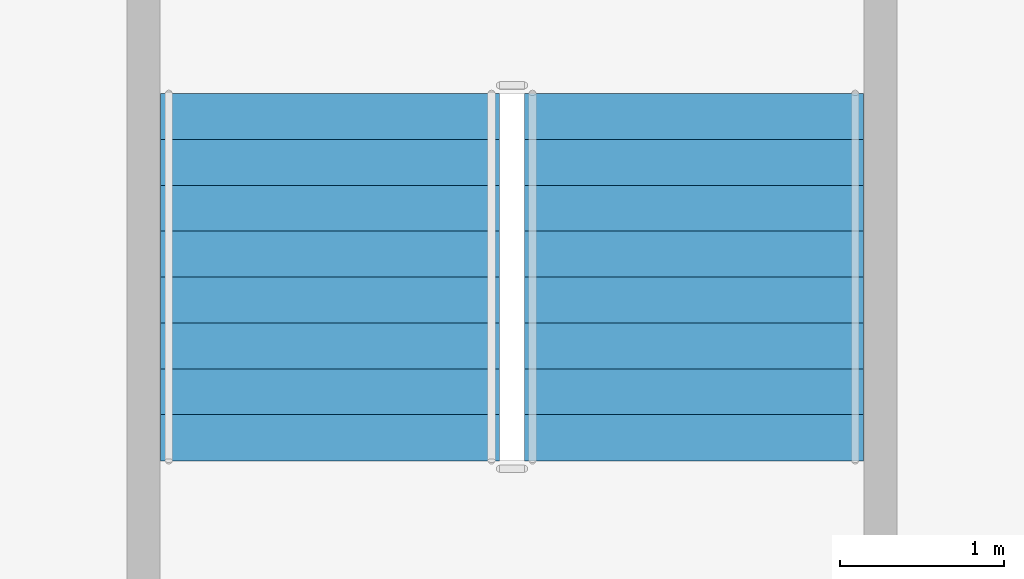
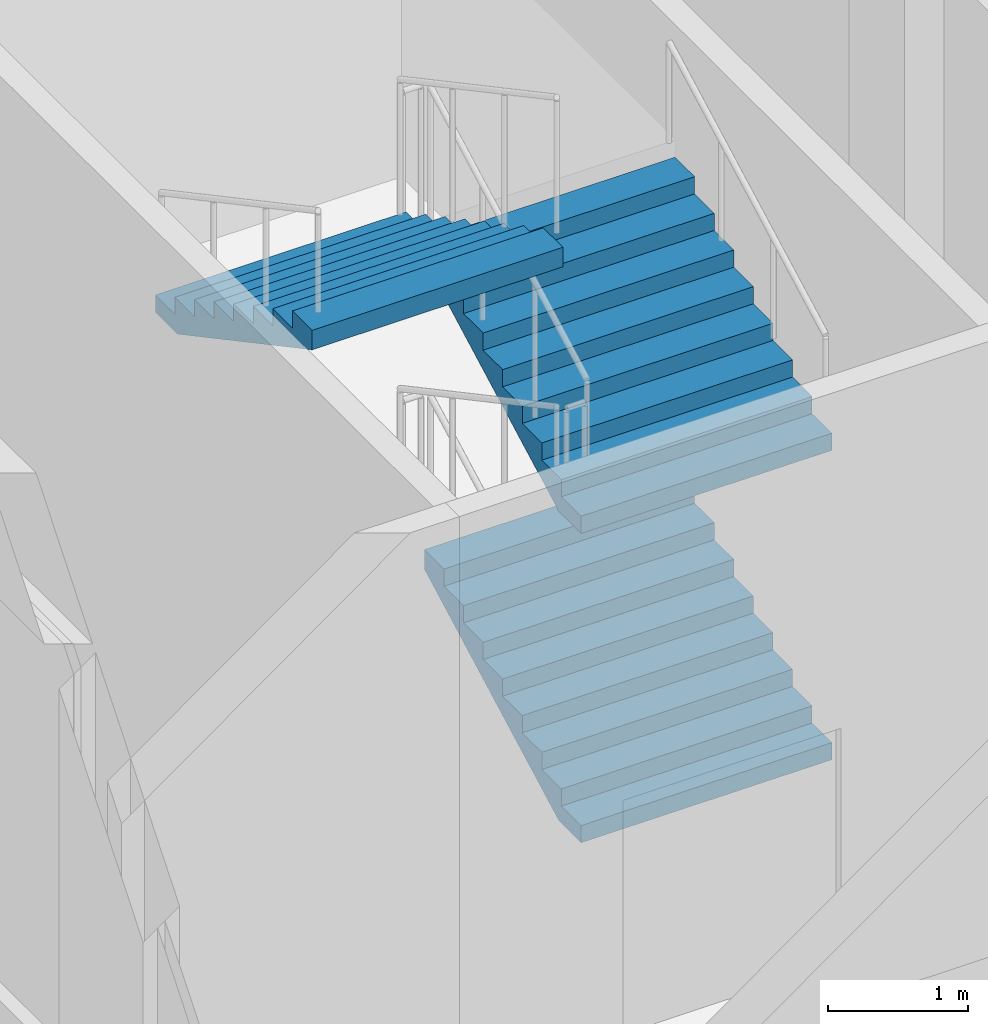
# One storey, part 16 of 27: 3 stair flights, 1 element without a shape of its own.
"""IFC4 building model written with IfcOpenShell, lengths in metres."""

from ifc_helpers import new_model, si_unit, direction, frame, origin, place, context, subcontext, project, spatial, polygons, material, type_object, element, aggregate, save


model = new_model("IFC4")

# Units and contexts
model_context = context("Model", 3, precision=1e-05, world=origin(), true_north=direction((0.0, 1.0)))
body_context = subcontext(model_context, "Body", "Model", "MODEL_VIEW")
ifc_project = project(units=[si_unit("LENGTHUNIT", "METRE"), si_unit("AREAUNIT", "SQUARE_METRE"), si_unit("VOLUMEUNIT", "CUBIC_METRE"), si_unit("PLANEANGLEUNIT", "RADIAN"), si_unit("MASSUNIT", "GRAM", prefix="KILO")], contexts=[model_context])

# Site, building, storey
site_placement = place(None, origin())
site = spatial("IfcSite", under=ifc_project, at=site_placement, CompositionType="ELEMENT")
building_placement = place(site_placement, origin())
building = spatial("IfcBuilding", under=site, at=building_placement, Name="Caravel Reach Hotel and Residences", CompositionType="ELEMENT")
storey_placement = place(building_placement, frame((0.0, 0.0, 6.60009765625)))
storey = spatial("IfcBuildingStorey", under=building, at=storey_placement, Name="L01", CompositionType="ELEMENT", Elevation=6.60009765625)

# Stair, stair flights
ifc_material_1 = material(Name="Concrete C40", Category="concrete")
stair_type = type_object("IfcStairType", Name="Core stair", PredefinedType="HALF_TURN_STAIR", material=ifc_material_1)
stair_placement = place(storey_placement, origin())
stair = element("IfcStair", 1, at=stair_placement, inside=storey, type_object=stair_type, Name="L01 Exit stair P5", PredefinedType="HALF_TURN_STAIR")
ifc_material_2 = material(Name="Concrete C40", Category="concrete")
stair_flight_type = type_object("IfcStairFlightType", Name="Core stair flight", PredefinedType="STRAIGHT", material=ifc_material_2)
stair_flight_1_placement = place(storey_placement, frame((1.360107421875, 42.68994140625, 0.0), z_axis=(0.0, 0.0, 1.0), x_axis=(0.0, 1.0, 0.0)))
stair_flight_1 = element("IfcStairFlight", 2, at=stair_flight_1_placement, type_object=stair_flight_type, Name="ST-P5 flight 1", NumberOfRisers=9, NumberOfTreads=8, PredefinedType="STRAIGHT", RiserHeight=0.15, TreadLength=0.28, context=body_context, shape_type="Tessellation", body=[
    polygons([(0.3174408016601864, 1.0350341796875, 0.0), (0.3174408016601864, 0.6900227864583333, 0.0), (0.3174408016601864, 0.34501139322916663, 0.0), (0.3174408016601864, 0.0, 0.0), (0.3174408016601864, -0.34501139322916674, 0.0), (0.3174408016601864, -0.6900227864583333, 0.0), (0.3174408016601864, -1.0350341796875, 0.0), (2.241, 1.0350341796875, 1.029942427682043), (2.241, 0.6900227864583333, 1.029942427682043), (2.241, 0.34501139322916663, 1.029942427682043), (2.241, 0.0, 1.029942427682043), (2.241, -0.34501139322916674, 1.029942427682043), (2.241, -0.6900227864583333, 1.029942427682043), (2.241, -1.0350341796875, 1.029942427682043), (2.241, 1.0350341796875, 1.2), (2.241, 0.6900227864583333, 1.2), (2.241, 0.34501139322916663, 1.2), (2.241, 0.0, 1.2), (2.241, -0.34501139322916674, 1.2), (2.241, -0.6900227864583333, 1.2), (2.241, -1.0350341796875, 1.2), (1.9600000000000002, 1.0350341796875, 1.2), (1.9600000000000002, 0.6900227864583333, 1.2), (1.9600000000000002, 0.34501139322916663, 1.2), (1.9600000000000002, 0.0, 1.2), (1.9600000000000002, -0.34501139322916674, 1.2), (1.9600000000000002, -0.6900227864583333, 1.2), (1.9600000000000002, -1.0350341796875, 1.2), (1.9600000000000002, 1.0350341796875, 1.05), (1.9600000000000002, 0.6900227864583333, 1.05), (1.9600000000000002, 0.34501139322916663, 1.05), (1.9600000000000002, 0.0, 1.05), (1.9600000000000002, -0.34501139322916674, 1.05), (1.9600000000000002, -0.6900227864583333, 1.05), (1.9600000000000002, -1.0350341796875, 1.05), (1.6800000000000002, 1.0350341796875, 1.05), (1.6800000000000002, 0.6900227864583333, 1.05), (1.6800000000000002, 0.34501139322916663, 1.05), (1.6800000000000002, 0.0, 1.05), (1.6800000000000002, -0.34501139322916674, 1.05), (1.6800000000000002, -0.6900227864583333, 1.05), (1.6800000000000002, -1.0350341796875, 1.05), (1.6800000000000002, 1.0350341796875, 0.8999999999999999), (1.6800000000000002, 0.6900227864583333, 0.8999999999999999), (1.6800000000000002, 0.34501139322916663, 0.8999999999999999), (1.6800000000000002, 0.0, 0.8999999999999999), (1.6800000000000002, -0.34501139322916674, 0.8999999999999999), (1.6800000000000002, -0.6900227864583333, 0.8999999999999999), (1.6800000000000002, -1.0350341796875, 0.8999999999999999), (1.4000000000000001, 1.0350341796875, 0.8999999999999999), (1.4000000000000001, 0.6900227864583333, 0.8999999999999999), (1.4000000000000001, 0.34501139322916663, 0.8999999999999999), (1.4000000000000001, 0.0, 0.8999999999999999), (1.4000000000000001, -0.34501139322916674, 0.8999999999999999), (1.4000000000000001, -0.6900227864583333, 0.8999999999999999), (1.4000000000000001, -1.0350341796875, 0.8999999999999999), (1.4000000000000001, 1.0350341796875, 0.75), (1.4000000000000001, 0.6900227864583333, 0.75), (1.4000000000000001, 0.34501139322916663, 0.75), (1.4000000000000001, 0.0, 0.75), (1.4000000000000001, -0.34501139322916674, 0.75), (1.4000000000000001, -0.6900227864583333, 0.75), (1.4000000000000001, -1.0350341796875, 0.75), (1.12, 1.0350341796875, 0.75), (1.12, 0.6900227864583333, 0.75), (1.12, 0.34501139322916663, 0.75), (1.12, 0.0, 0.75), (1.12, -0.34501139322916674, 0.75), (1.12, -0.6900227864583333, 0.75), (1.12, -1.0350341796875, 0.75), (1.12, 1.0350341796875, 0.6), (1.12, 0.6900227864583333, 0.6), (1.12, 0.34501139322916663, 0.6), (1.12, 0.0, 0.6), (1.12, -0.34501139322916674, 0.6), (1.12, -0.6900227864583333, 0.6), (1.12, -1.0350341796875, 0.6), (0.8400000000000001, 1.0350341796875, 0.6), (0.8400000000000001, 0.6900227864583333, 0.6), (0.8400000000000001, 0.34501139322916663, 0.6), (0.8400000000000001, 0.0, 0.6), (0.8400000000000001, -0.34501139322916674, 0.6), (0.8400000000000001, -0.6900227864583333, 0.6), (0.8400000000000001, -1.0350341796875, 0.6), (0.8400000000000001, 1.0350341796875, 0.44999999999999996), (0.8400000000000001, 0.6900227864583333, 0.44999999999999996), (0.8400000000000001, 0.34501139322916663, 0.44999999999999996), (0.8400000000000001, 0.0, 0.44999999999999996), (0.8400000000000001, -0.34501139322916674, 0.44999999999999996), (0.8400000000000001, -0.6900227864583333, 0.44999999999999996), (0.8400000000000001, -1.0350341796875, 0.44999999999999996), (0.56, 1.0350341796875, 0.44999999999999996), (0.56, 0.6900227864583333, 0.44999999999999996), (0.56, 0.34501139322916663, 0.44999999999999996), (0.56, 0.0, 0.44999999999999996), (0.56, -0.34501139322916674, 0.44999999999999996), (0.56, -0.6900227864583333, 0.44999999999999996), (0.56, -1.0350341796875, 0.44999999999999996), (0.56, 1.0350341796875, 0.3), (0.56, 0.6900227864583333, 0.3), (0.56, 0.34501139322916663, 0.3), (0.56, 0.0, 0.3), (0.56, -0.34501139322916674, 0.3), (0.56, -0.6900227864583333, 0.3), (0.56, -1.0350341796875, 0.3), (0.28, 1.0350341796875, 0.3), (0.28, 0.6900227864583333, 0.3), (0.28, 0.34501139322916663, 0.3), (0.28, 0.0, 0.3), (0.28, -0.34501139322916674, 0.3), (0.28, -0.6900227864583333, 0.3), (0.28, -1.0350341796875, 0.3), (0.28, 1.0350341796875, 0.15), (0.28, 0.6900227864583333, 0.15), (0.28, 0.34501139322916663, 0.15), (0.28, 0.0, 0.15), (0.28, -0.34501139322916674, 0.15), (0.28, -0.6900227864583333, 0.15), (0.28, -1.0350341796875, 0.15), (-0.001, 1.0350341796875, 0.15), (-0.001, 0.6900227864583333, 0.15), (-0.001, 0.34501139322916663, 0.15), (-0.001, 0.0, 0.15), (-0.001, -0.34501139322916674, 0.15), (-0.001, -0.6900227864583333, 0.15), (-0.001, -1.0350341796875, 0.15), (-0.001, 1.0350341796875, 0.0), (-0.001, 0.6900227864583333, 0.0), (-0.001, 0.34501139322916663, 0.0), (-0.001, 0.0, 0.0), (-0.001, -0.34501139322916674, 0.0), (-0.001, -0.6900227864583333, 0.0), (-0.001, -1.0350341796875, 0.0)], [[[127, 120, 113, 106, 99, 92, 85, 78, 71, 64, 57, 50, 43, 36, 29, 22, 15, 8, 1]], [[7, 14, 21, 28, 35, 42, 49, 56, 63, 70, 77, 84, 91, 98, 105, 112, 119, 126, 133]], [[1, 8, 9, 2]], [[2, 9, 10, 3]], [[3, 10, 11, 4]], [[4, 11, 12, 5]], [[5, 12, 13, 6]], [[6, 13, 14, 7]], [[8, 15, 16, 9]], [[9, 16, 17, 10]], [[10, 17, 18, 11]], [[11, 18, 19, 12]], [[12, 19, 20, 13]], [[13, 20, 21, 14]], [[15, 22, 23, 16]], [[16, 23, 24, 17]], [[17, 24, 25, 18]], [[18, 25, 26, 19]], [[19, 26, 27, 20]], [[20, 27, 28, 21]], [[22, 29, 30, 23]], [[23, 30, 31, 24]], [[24, 31, 32, 25]], [[25, 32, 33, 26]], [[26, 33, 34, 27]], [[27, 34, 35, 28]], [[29, 36, 37, 30]], [[30, 37, 38, 31]], [[31, 38, 39, 32]], [[32, 39, 40, 33]], [[33, 40, 41, 34]], [[34, 41, 42, 35]], [[36, 43, 44, 37]], [[37, 44, 45, 38]], [[38, 45, 46, 39]], [[39, 46, 47, 40]], [[40, 47, 48, 41]], [[41, 48, 49, 42]], [[43, 50, 51, 44]], [[44, 51, 52, 45]], [[45, 52, 53, 46]], [[46, 53, 54, 47]], [[47, 54, 55, 48]], [[48, 55, 56, 49]], [[50, 57, 58, 51]], [[51, 58, 59, 52]], [[52, 59, 60, 53]], [[53, 60, 61, 54]], [[54, 61, 62, 55]], [[55, 62, 63, 56]], [[57, 64, 65, 58]], [[58, 65, 66, 59]], [[59, 66, 67, 60]], [[60, 67, 68, 61]], [[61, 68, 69, 62]], [[62, 69, 70, 63]], [[64, 71, 72, 65]], [[65, 72, 73, 66]], [[66, 73, 74, 67]], [[67, 74, 75, 68]], [[68, 75, 76, 69]], [[69, 76, 77, 70]], [[71, 78, 79, 72]], [[72, 79, 80, 73]], [[73, 80, 81, 74]], [[74, 81, 82, 75]], [[75, 82, 83, 76]], [[76, 83, 84, 77]], [[78, 85, 86, 79]], [[79, 86, 87, 80]], [[80, 87, 88, 81]], [[81, 88, 89, 82]], [[82, 89, 90, 83]], [[83, 90, 91, 84]], [[85, 92, 93, 86]], [[86, 93, 94, 87]], [[87, 94, 95, 88]], [[88, 95, 96, 89]], [[89, 96, 97, 90]], [[90, 97, 98, 91]], [[92, 99, 100, 93]], [[93, 100, 101, 94]], [[94, 101, 102, 95]], [[95, 102, 103, 96]], [[96, 103, 104, 97]], [[97, 104, 105, 98]], [[99, 106, 107, 100]], [[100, 107, 108, 101]], [[101, 108, 109, 102]], [[102, 109, 110, 103]], [[103, 110, 111, 104]], [[104, 111, 112, 105]], [[106, 113, 114, 107]], [[107, 114, 115, 108]], [[108, 115, 116, 109]], [[109, 116, 117, 110]], [[110, 117, 118, 111]], [[111, 118, 119, 112]], [[113, 120, 121, 114]], [[114, 121, 122, 115]], [[115, 122, 123, 116]], [[116, 123, 124, 117]], [[117, 124, 125, 118]], [[118, 125, 126, 119]], [[120, 127, 128, 121]], [[121, 128, 129, 122]], [[122, 129, 130, 123]], [[123, 130, 131, 124]], [[124, 131, 132, 125]], [[125, 132, 133, 126]], [[127, 1, 2, 128]], [[128, 2, 3, 129]], [[129, 3, 4, 130]], [[130, 4, 5, 131]], [[131, 5, 6, 132]], [[132, 6, 7, 133]]], closed=True),
])
stair_flight_2_placement = place(storey_placement, frame((1.360107421875, 42.68994140625, 2.699951171875), z_axis=(0.0, 0.0, 1.0), x_axis=(0.0, 1.0, 0.0)))
stair_flight_2 = element("IfcStairFlight", 3, at=stair_flight_2_placement, type_object=stair_flight_type, Name="ST-P5 flight 3", NumberOfRisers=9, NumberOfTreads=8, PredefinedType="STRAIGHT", RiserHeight=0.15, TreadLength=0.28, context=body_context, shape_type="Tessellation", body=[
    polygons([(0.3174408016601864, 1.0350341796875, 0.0), (0.3174408016601864, 0.6900227864583333, 0.0), (0.3174408016601864, 0.34501139322916663, 0.0), (0.3174408016601864, 0.0, 0.0), (0.3174408016601864, -0.34501139322916674, 0.0), (0.3174408016601864, -0.6900227864583333, 0.0), (0.3174408016601864, -1.0350341796875, 0.0), (2.241, 1.0350341796875, 1.029942427682043), (2.241, 0.6900227864583333, 1.029942427682043), (2.241, 0.34501139322916663, 1.029942427682043), (2.241, 0.0, 1.029942427682043), (2.241, -0.34501139322916674, 1.029942427682043), (2.241, -0.6900227864583333, 1.029942427682043), (2.241, -1.0350341796875, 1.029942427682043), (2.241, 1.0350341796875, 1.2), (2.241, 0.6900227864583333, 1.2), (2.241, 0.34501139322916663, 1.2), (2.241, 0.0, 1.2), (2.241, -0.34501139322916674, 1.2), (2.241, -0.6900227864583333, 1.2), (2.241, -1.0350341796875, 1.2), (1.9600000000000002, 1.0350341796875, 1.2), (1.9600000000000002, 0.6900227864583333, 1.2), (1.9600000000000002, 0.34501139322916663, 1.2), (1.9600000000000002, 0.0, 1.2), (1.9600000000000002, -0.34501139322916674, 1.2), (1.9600000000000002, -0.6900227864583333, 1.2), (1.9600000000000002, -1.0350341796875, 1.2), (1.9600000000000002, 1.0350341796875, 1.05), (1.9600000000000002, 0.6900227864583333, 1.05), (1.9600000000000002, 0.34501139322916663, 1.05), (1.9600000000000002, 0.0, 1.05), (1.9600000000000002, -0.34501139322916674, 1.05), (1.9600000000000002, -0.6900227864583333, 1.05), (1.9600000000000002, -1.0350341796875, 1.05), (1.6800000000000002, 1.0350341796875, 1.05), (1.6800000000000002, 0.6900227864583333, 1.05), (1.6800000000000002, 0.34501139322916663, 1.05), (1.6800000000000002, 0.0, 1.05), (1.6800000000000002, -0.34501139322916674, 1.05), (1.6800000000000002, -0.6900227864583333, 1.05), (1.6800000000000002, -1.0350341796875, 1.05), (1.6800000000000002, 1.0350341796875, 0.8999999999999999), (1.6800000000000002, 0.6900227864583333, 0.8999999999999999), (1.6800000000000002, 0.34501139322916663, 0.8999999999999999), (1.6800000000000002, 0.0, 0.8999999999999999), (1.6800000000000002, -0.34501139322916674, 0.8999999999999999), (1.6800000000000002, -0.6900227864583333, 0.8999999999999999), (1.6800000000000002, -1.0350341796875, 0.8999999999999999), (1.4000000000000001, 1.0350341796875, 0.8999999999999999), (1.4000000000000001, 0.6900227864583333, 0.8999999999999999), (1.4000000000000001, 0.34501139322916663, 0.8999999999999999), (1.4000000000000001, 0.0, 0.8999999999999999), (1.4000000000000001, -0.34501139322916674, 0.8999999999999999), (1.4000000000000001, -0.6900227864583333, 0.8999999999999999), (1.4000000000000001, -1.0350341796875, 0.8999999999999999), (1.4000000000000001, 1.0350341796875, 0.75), (1.4000000000000001, 0.6900227864583333, 0.75), (1.4000000000000001, 0.34501139322916663, 0.75), (1.4000000000000001, 0.0, 0.75), (1.4000000000000001, -0.34501139322916674, 0.75), (1.4000000000000001, -0.6900227864583333, 0.75), (1.4000000000000001, -1.0350341796875, 0.75), (1.12, 1.0350341796875, 0.75), (1.12, 0.6900227864583333, 0.75), (1.12, 0.34501139322916663, 0.75), (1.12, 0.0, 0.75), (1.12, -0.34501139322916674, 0.75), (1.12, -0.6900227864583333, 0.75), (1.12, -1.0350341796875, 0.75), (1.12, 1.0350341796875, 0.6), (1.12, 0.6900227864583333, 0.6), (1.12, 0.34501139322916663, 0.6), (1.12, 0.0, 0.6), (1.12, -0.34501139322916674, 0.6), (1.12, -0.6900227864583333, 0.6), (1.12, -1.0350341796875, 0.6), (0.8400000000000001, 1.0350341796875, 0.6), (0.8400000000000001, 0.6900227864583333, 0.6), (0.8400000000000001, 0.34501139322916663, 0.6), (0.8400000000000001, 0.0, 0.6), (0.8400000000000001, -0.34501139322916674, 0.6), (0.8400000000000001, -0.6900227864583333, 0.6), (0.8400000000000001, -1.0350341796875, 0.6), (0.8400000000000001, 1.0350341796875, 0.44999999999999996), (0.8400000000000001, 0.6900227864583333, 0.44999999999999996), (0.8400000000000001, 0.34501139322916663, 0.44999999999999996), (0.8400000000000001, 0.0, 0.44999999999999996), (0.8400000000000001, -0.34501139322916674, 0.44999999999999996), (0.8400000000000001, -0.6900227864583333, 0.44999999999999996), (0.8400000000000001, -1.0350341796875, 0.44999999999999996), (0.56, 1.0350341796875, 0.44999999999999996), (0.56, 0.6900227864583333, 0.44999999999999996), (0.56, 0.34501139322916663, 0.44999999999999996), (0.56, 0.0, 0.44999999999999996), (0.56, -0.34501139322916674, 0.44999999999999996), (0.56, -0.6900227864583333, 0.44999999999999996), (0.56, -1.0350341796875, 0.44999999999999996), (0.56, 1.0350341796875, 0.3), (0.56, 0.6900227864583333, 0.3), (0.56, 0.34501139322916663, 0.3), (0.56, 0.0, 0.3), (0.56, -0.34501139322916674, 0.3), (0.56, -0.6900227864583333, 0.3), (0.56, -1.0350341796875, 0.3), (0.28, 1.0350341796875, 0.3), (0.28, 0.6900227864583333, 0.3), (0.28, 0.34501139322916663, 0.3), (0.28, 0.0, 0.3), (0.28, -0.34501139322916674, 0.3), (0.28, -0.6900227864583333, 0.3), (0.28, -1.0350341796875, 0.3), (0.28, 1.0350341796875, 0.15), (0.28, 0.6900227864583333, 0.15), (0.28, 0.34501139322916663, 0.15), (0.28, 0.0, 0.15), (0.28, -0.34501139322916674, 0.15), (0.28, -0.6900227864583333, 0.15), (0.28, -1.0350341796875, 0.15), (-0.001, 1.0350341796875, 0.15), (-0.001, 0.6900227864583333, 0.15), (-0.001, 0.34501139322916663, 0.15), (-0.001, 0.0, 0.15), (-0.001, -0.34501139322916674, 0.15), (-0.001, -0.6900227864583333, 0.15), (-0.001, -1.0350341796875, 0.15), (-0.001, 1.0350341796875, 0.0), (-0.001, 0.6900227864583333, 0.0), (-0.001, 0.34501139322916663, 0.0), (-0.001, 0.0, 0.0), (-0.001, -0.34501139322916674, 0.0), (-0.001, -0.6900227864583333, 0.0), (-0.001, -1.0350341796875, 0.0)], [[[127, 120, 113, 106, 99, 92, 85, 78, 71, 64, 57, 50, 43, 36, 29, 22, 15, 8, 1]], [[7, 14, 21, 28, 35, 42, 49, 56, 63, 70, 77, 84, 91, 98, 105, 112, 119, 126, 133]], [[1, 8, 9, 2]], [[2, 9, 10, 3]], [[3, 10, 11, 4]], [[4, 11, 12, 5]], [[5, 12, 13, 6]], [[6, 13, 14, 7]], [[8, 15, 16, 9]], [[9, 16, 17, 10]], [[10, 17, 18, 11]], [[11, 18, 19, 12]], [[12, 19, 20, 13]], [[13, 20, 21, 14]], [[15, 22, 23, 16]], [[16, 23, 24, 17]], [[17, 24, 25, 18]], [[18, 25, 26, 19]], [[19, 26, 27, 20]], [[20, 27, 28, 21]], [[22, 29, 30, 23]], [[23, 30, 31, 24]], [[24, 31, 32, 25]], [[25, 32, 33, 26]], [[26, 33, 34, 27]], [[27, 34, 35, 28]], [[29, 36, 37, 30]], [[30, 37, 38, 31]], [[31, 38, 39, 32]], [[32, 39, 40, 33]], [[33, 40, 41, 34]], [[34, 41, 42, 35]], [[36, 43, 44, 37]], [[37, 44, 45, 38]], [[38, 45, 46, 39]], [[39, 46, 47, 40]], [[40, 47, 48, 41]], [[41, 48, 49, 42]], [[43, 50, 51, 44]], [[44, 51, 52, 45]], [[45, 52, 53, 46]], [[46, 53, 54, 47]], [[47, 54, 55, 48]], [[48, 55, 56, 49]], [[50, 57, 58, 51]], [[51, 58, 59, 52]], [[52, 59, 60, 53]], [[53, 60, 61, 54]], [[54, 61, 62, 55]], [[55, 62, 63, 56]], [[57, 64, 65, 58]], [[58, 65, 66, 59]], [[59, 66, 67, 60]], [[60, 67, 68, 61]], [[61, 68, 69, 62]], [[62, 69, 70, 63]], [[64, 71, 72, 65]], [[65, 72, 73, 66]], [[66, 73, 74, 67]], [[67, 74, 75, 68]], [[68, 75, 76, 69]], [[69, 76, 77, 70]], [[71, 78, 79, 72]], [[72, 79, 80, 73]], [[73, 80, 81, 74]], [[74, 81, 82, 75]], [[75, 82, 83, 76]], [[76, 83, 84, 77]], [[78, 85, 86, 79]], [[79, 86, 87, 80]], [[80, 87, 88, 81]], [[81, 88, 89, 82]], [[82, 89, 90, 83]], [[83, 90, 91, 84]], [[85, 92, 93, 86]], [[86, 93, 94, 87]], [[87, 94, 95, 88]], [[88, 95, 96, 89]], [[89, 96, 97, 90]], [[90, 97, 98, 91]], [[92, 99, 100, 93]], [[93, 100, 101, 94]], [[94, 101, 102, 95]], [[95, 102, 103, 96]], [[96, 103, 104, 97]], [[97, 104, 105, 98]], [[99, 106, 107, 100]], [[100, 107, 108, 101]], [[101, 108, 109, 102]], [[102, 109, 110, 103]], [[103, 110, 111, 104]], [[104, 111, 112, 105]], [[106, 113, 114, 107]], [[107, 114, 115, 108]], [[108, 115, 116, 109]], [[109, 116, 117, 110]], [[110, 117, 118, 111]], [[111, 118, 119, 112]], [[113, 120, 121, 114]], [[114, 121, 122, 115]], [[115, 122, 123, 116]], [[116, 123, 124, 117]], [[117, 124, 125, 118]], [[118, 125, 126, 119]], [[120, 127, 128, 121]], [[121, 128, 129, 122]], [[122, 129, 130, 123]], [[123, 130, 131, 124]], [[124, 131, 132, 125]], [[125, 132, 133, 126]], [[127, 1, 2, 128]], [[128, 2, 3, 129]], [[129, 3, 4, 130]], [[130, 4, 5, 131]], [[131, 5, 6, 132]], [[132, 6, 7, 133]]], closed=True),
])
stair_flight_3_placement = place(storey_placement, frame((-0.860107421875, 44.929931640625, 4.0498046875), z_axis=(0.0, 0.0, 1.0), x_axis=(0.0, -1.0, 0.0)))
stair_flight_3 = element("IfcStairFlight", 4, at=stair_flight_3_placement, type_object=stair_flight_type, Name="ST-P5 flight 4", NumberOfRisers=9, NumberOfTreads=8, PredefinedType="STRAIGHT", RiserHeight=0.15, TreadLength=0.28, context=body_context, shape_type="Tessellation", body=[
    polygons([(0.3174408016601864, 1.0350341796875, 0.0), (0.3174408016601864, 0.6900227864583333, 0.0), (0.3174408016601864, 0.34501139322916663, 0.0), (0.3174408016601864, 0.0, 0.0), (0.3174408016601864, -0.34501139322916674, 0.0), (0.3174408016601864, -0.6900227864583333, 0.0), (0.3174408016601864, -1.0350341796875, 0.0), (2.241, 1.0350341796875, 1.029942427682043), (2.241, 0.6900227864583333, 1.029942427682043), (2.241, 0.34501139322916663, 1.029942427682043), (2.241, 0.0, 1.029942427682043), (2.241, -0.34501139322916674, 1.029942427682043), (2.241, -0.6900227864583333, 1.029942427682043), (2.241, -1.0350341796875, 1.029942427682043), (2.241, 1.0350341796875, 1.2), (2.241, 0.6900227864583333, 1.2), (2.241, 0.34501139322916663, 1.2), (2.241, 0.0, 1.2), (2.241, -0.34501139322916674, 1.2), (2.241, -0.6900227864583333, 1.2), (2.241, -1.0350341796875, 1.2), (1.9600000000000002, 1.0350341796875, 1.2), (1.9600000000000002, 0.6900227864583333, 1.2), (1.9600000000000002, 0.34501139322916663, 1.2), (1.9600000000000002, 0.0, 1.2), (1.9600000000000002, -0.34501139322916674, 1.2), (1.9600000000000002, -0.6900227864583333, 1.2), (1.9600000000000002, -1.0350341796875, 1.2), (1.9600000000000002, 1.0350341796875, 1.05), (1.9600000000000002, 0.6900227864583333, 1.05), (1.9600000000000002, 0.34501139322916663, 1.05), (1.9600000000000002, 0.0, 1.05), (1.9600000000000002, -0.34501139322916674, 1.05), (1.9600000000000002, -0.6900227864583333, 1.05), (1.9600000000000002, -1.0350341796875, 1.05), (1.6800000000000002, 1.0350341796875, 1.05), (1.6800000000000002, 0.6900227864583333, 1.05), (1.6800000000000002, 0.34501139322916663, 1.05), (1.6800000000000002, 0.0, 1.05), (1.6800000000000002, -0.34501139322916674, 1.05), (1.6800000000000002, -0.6900227864583333, 1.05), (1.6800000000000002, -1.0350341796875, 1.05), (1.6800000000000002, 1.0350341796875, 0.8999999999999999), (1.6800000000000002, 0.6900227864583333, 0.8999999999999999), (1.6800000000000002, 0.34501139322916663, 0.8999999999999999), (1.6800000000000002, 0.0, 0.8999999999999999), (1.6800000000000002, -0.34501139322916674, 0.8999999999999999), (1.6800000000000002, -0.6900227864583333, 0.8999999999999999), (1.6800000000000002, -1.0350341796875, 0.8999999999999999), (1.4000000000000001, 1.0350341796875, 0.8999999999999999), (1.4000000000000001, 0.6900227864583333, 0.8999999999999999), (1.4000000000000001, 0.34501139322916663, 0.8999999999999999), (1.4000000000000001, 0.0, 0.8999999999999999), (1.4000000000000001, -0.34501139322916674, 0.8999999999999999), (1.4000000000000001, -0.6900227864583333, 0.8999999999999999), (1.4000000000000001, -1.0350341796875, 0.8999999999999999), (1.4000000000000001, 1.0350341796875, 0.75), (1.4000000000000001, 0.6900227864583333, 0.75), (1.4000000000000001, 0.34501139322916663, 0.75), (1.4000000000000001, 0.0, 0.75), (1.4000000000000001, -0.34501139322916674, 0.75), (1.4000000000000001, -0.6900227864583333, 0.75), (1.4000000000000001, -1.0350341796875, 0.75), (1.12, 1.0350341796875, 0.75), (1.12, 0.6900227864583333, 0.75), (1.12, 0.34501139322916663, 0.75), (1.12, 0.0, 0.75), (1.12, -0.34501139322916674, 0.75), (1.12, -0.6900227864583333, 0.75), (1.12, -1.0350341796875, 0.75), (1.12, 1.0350341796875, 0.6), (1.12, 0.6900227864583333, 0.6), (1.12, 0.34501139322916663, 0.6), (1.12, 0.0, 0.6), (1.12, -0.34501139322916674, 0.6), (1.12, -0.6900227864583333, 0.6), (1.12, -1.0350341796875, 0.6), (0.8400000000000001, 1.0350341796875, 0.6), (0.8400000000000001, 0.6900227864583333, 0.6), (0.8400000000000001, 0.34501139322916663, 0.6), (0.8400000000000001, 0.0, 0.6), (0.8400000000000001, -0.34501139322916674, 0.6), (0.8400000000000001, -0.6900227864583333, 0.6), (0.8400000000000001, -1.0350341796875, 0.6), (0.8400000000000001, 1.0350341796875, 0.44999999999999996), (0.8400000000000001, 0.6900227864583333, 0.44999999999999996), (0.8400000000000001, 0.34501139322916663, 0.44999999999999996), (0.8400000000000001, 0.0, 0.44999999999999996), (0.8400000000000001, -0.34501139322916674, 0.44999999999999996), (0.8400000000000001, -0.6900227864583333, 0.44999999999999996), (0.8400000000000001, -1.0350341796875, 0.44999999999999996), (0.56, 1.0350341796875, 0.44999999999999996), (0.56, 0.6900227864583333, 0.44999999999999996), (0.56, 0.34501139322916663, 0.44999999999999996), (0.56, 0.0, 0.44999999999999996), (0.56, -0.34501139322916674, 0.44999999999999996), (0.56, -0.6900227864583333, 0.44999999999999996), (0.56, -1.0350341796875, 0.44999999999999996), (0.56, 1.0350341796875, 0.3), (0.56, 0.6900227864583333, 0.3), (0.56, 0.34501139322916663, 0.3), (0.56, 0.0, 0.3), (0.56, -0.34501139322916674, 0.3), (0.56, -0.6900227864583333, 0.3), (0.56, -1.0350341796875, 0.3), (0.28, 1.0350341796875, 0.3), (0.28, 0.6900227864583333, 0.3), (0.28, 0.34501139322916663, 0.3), (0.28, 0.0, 0.3), (0.28, -0.34501139322916674, 0.3), (0.28, -0.6900227864583333, 0.3), (0.28, -1.0350341796875, 0.3), (0.28, 1.0350341796875, 0.15), (0.28, 0.6900227864583333, 0.15), (0.28, 0.34501139322916663, 0.15), (0.28, 0.0, 0.15), (0.28, -0.34501139322916674, 0.15), (0.28, -0.6900227864583333, 0.15), (0.28, -1.0350341796875, 0.15), (-0.001, 1.0350341796875, 0.15), (-0.001, 0.6900227864583333, 0.15), (-0.001, 0.34501139322916663, 0.15), (-0.001, 0.0, 0.15), (-0.001, -0.34501139322916674, 0.15), (-0.001, -0.6900227864583333, 0.15), (-0.001, -1.0350341796875, 0.15), (-0.001, 1.0350341796875, 0.0), (-0.001, 0.6900227864583333, 0.0), (-0.001, 0.34501139322916663, 0.0), (-0.001, 0.0, 0.0), (-0.001, -0.34501139322916674, 0.0), (-0.001, -0.6900227864583333, 0.0), (-0.001, -1.0350341796875, 0.0)], [[[127, 120, 113, 106, 99, 92, 85, 78, 71, 64, 57, 50, 43, 36, 29, 22, 15, 8, 1]], [[7, 14, 21, 28, 35, 42, 49, 56, 63, 70, 77, 84, 91, 98, 105, 112, 119, 126, 133]], [[1, 8, 9, 2]], [[2, 9, 10, 3]], [[3, 10, 11, 4]], [[4, 11, 12, 5]], [[5, 12, 13, 6]], [[6, 13, 14, 7]], [[8, 15, 16, 9]], [[9, 16, 17, 10]], [[10, 17, 18, 11]], [[11, 18, 19, 12]], [[12, 19, 20, 13]], [[13, 20, 21, 14]], [[15, 22, 23, 16]], [[16, 23, 24, 17]], [[17, 24, 25, 18]], [[18, 25, 26, 19]], [[19, 26, 27, 20]], [[20, 27, 28, 21]], [[22, 29, 30, 23]], [[23, 30, 31, 24]], [[24, 31, 32, 25]], [[25, 32, 33, 26]], [[26, 33, 34, 27]], [[27, 34, 35, 28]], [[29, 36, 37, 30]], [[30, 37, 38, 31]], [[31, 38, 39, 32]], [[32, 39, 40, 33]], [[33, 40, 41, 34]], [[34, 41, 42, 35]], [[36, 43, 44, 37]], [[37, 44, 45, 38]], [[38, 45, 46, 39]], [[39, 46, 47, 40]], [[40, 47, 48, 41]], [[41, 48, 49, 42]], [[43, 50, 51, 44]], [[44, 51, 52, 45]], [[45, 52, 53, 46]], [[46, 53, 54, 47]], [[47, 54, 55, 48]], [[48, 55, 56, 49]], [[50, 57, 58, 51]], [[51, 58, 59, 52]], [[52, 59, 60, 53]], [[53, 60, 61, 54]], [[54, 61, 62, 55]], [[55, 62, 63, 56]], [[57, 64, 65, 58]], [[58, 65, 66, 59]], [[59, 66, 67, 60]], [[60, 67, 68, 61]], [[61, 68, 69, 62]], [[62, 69, 70, 63]], [[64, 71, 72, 65]], [[65, 72, 73, 66]], [[66, 73, 74, 67]], [[67, 74, 75, 68]], [[68, 75, 76, 69]], [[69, 76, 77, 70]], [[71, 78, 79, 72]], [[72, 79, 80, 73]], [[73, 80, 81, 74]], [[74, 81, 82, 75]], [[75, 82, 83, 76]], [[76, 83, 84, 77]], [[78, 85, 86, 79]], [[79, 86, 87, 80]], [[80, 87, 88, 81]], [[81, 88, 89, 82]], [[82, 89, 90, 83]], [[83, 90, 91, 84]], [[85, 92, 93, 86]], [[86, 93, 94, 87]], [[87, 94, 95, 88]], [[88, 95, 96, 89]], [[89, 96, 97, 90]], [[90, 97, 98, 91]], [[92, 99, 100, 93]], [[93, 100, 101, 94]], [[94, 101, 102, 95]], [[95, 102, 103, 96]], [[96, 103, 104, 97]], [[97, 104, 105, 98]], [[99, 106, 107, 100]], [[100, 107, 108, 101]], [[101, 108, 109, 102]], [[102, 109, 110, 103]], [[103, 110, 111, 104]], [[104, 111, 112, 105]], [[106, 113, 114, 107]], [[107, 114, 115, 108]], [[108, 115, 116, 109]], [[109, 116, 117, 110]], [[110, 117, 118, 111]], [[111, 118, 119, 112]], [[113, 120, 121, 114]], [[114, 121, 122, 115]], [[115, 122, 123, 116]], [[116, 123, 124, 117]], [[117, 124, 125, 118]], [[118, 125, 126, 119]], [[120, 127, 128, 121]], [[121, 128, 129, 122]], [[122, 129, 130, 123]], [[123, 130, 131, 124]], [[124, 131, 132, 125]], [[125, 132, 133, 126]], [[127, 1, 2, 128]], [[128, 2, 3, 129]], [[129, 3, 4, 130]], [[130, 4, 5, 131]], [[131, 5, 6, 132]], [[132, 6, 7, 133]]], closed=True),
])
aggregate(stair, [stair_flight_1, stair_flight_2, stair_flight_3])

save(model, "model.ifc")
